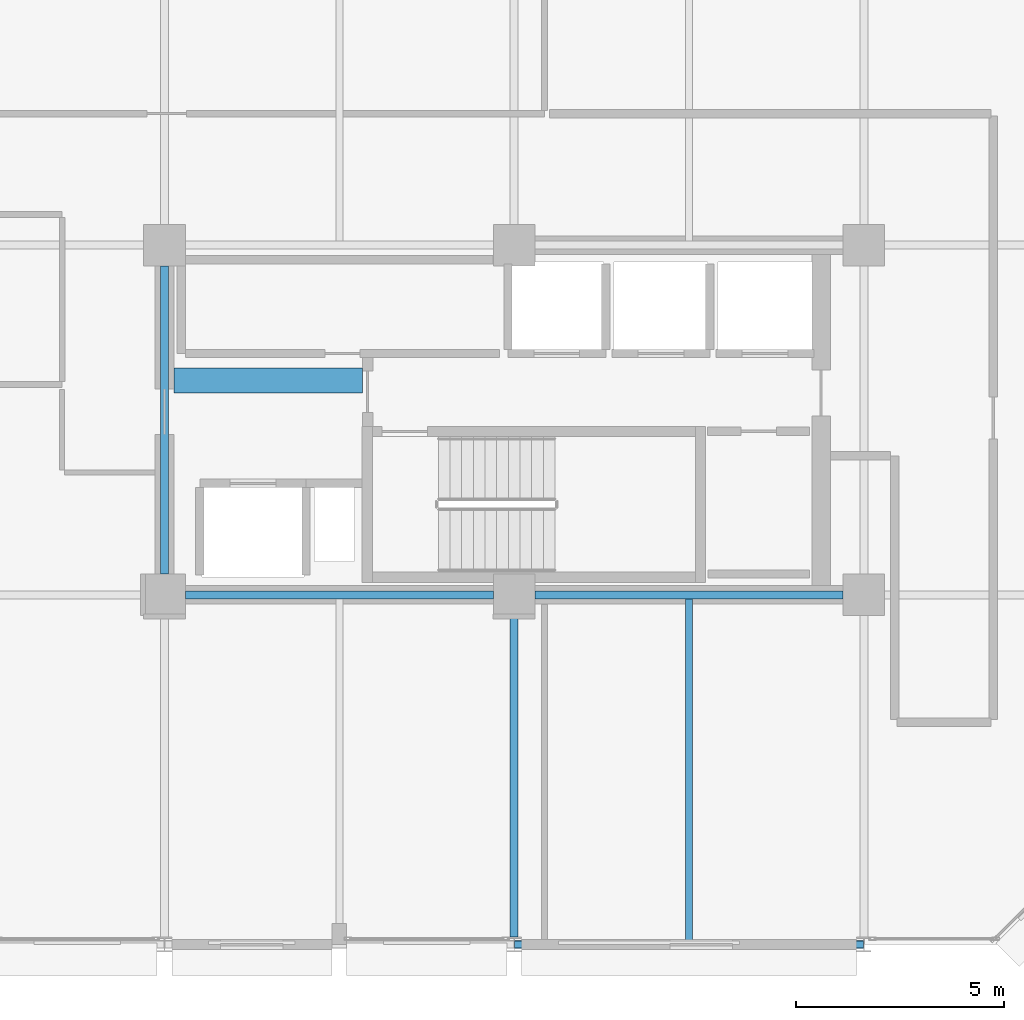
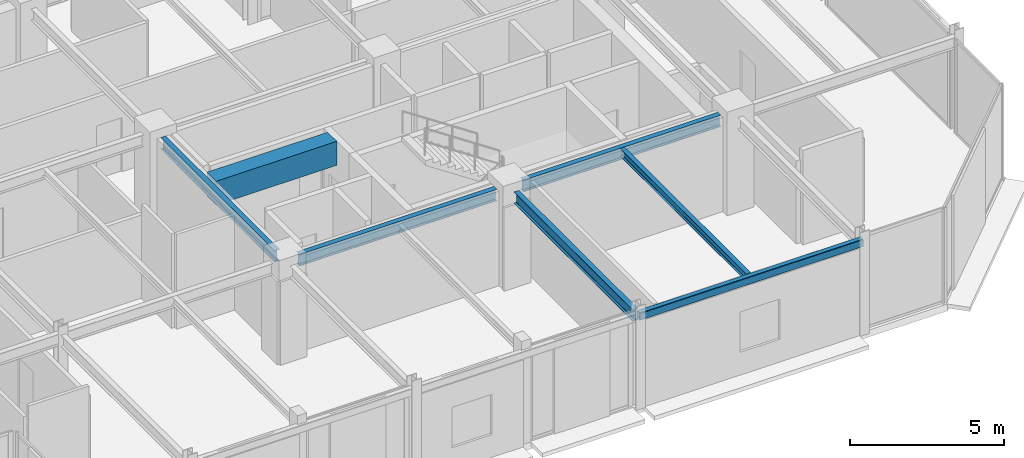
# One storey, part 7 of 26: 7 beams.
"""IFC4 building model written with IfcOpenShell, lengths in metres."""

from ifc_helpers import new_model, si_unit, direction, frame, origin, origin_2d, place, context, subcontext, project, spatial, rectangle, hollow_rectangle, i_section, extrude, material, material_profile, profile_set, type_object, element, save


model = new_model("IFC4")

# Units and contexts
model_context = context("Model", 3, precision=1e-05, world=origin(), true_north=direction((0.0, 1.0)))
body_context = subcontext(model_context, "Body", "Model", "MODEL_VIEW")
ifc_project = project(units=[si_unit("LENGTHUNIT", "METRE"), si_unit("AREAUNIT", "SQUARE_METRE"), si_unit("VOLUMEUNIT", "CUBIC_METRE"), si_unit("PLANEANGLEUNIT", "RADIAN"), si_unit("MASSUNIT", "GRAM", prefix="KILO")], contexts=[model_context])

# Site, building, storey
site_placement = place(None, origin())
site = spatial("IfcSite", under=ifc_project, at=site_placement, CompositionType="ELEMENT")
building_placement = place(site_placement, origin())
building = spatial("IfcBuilding", under=site, at=building_placement, Name="Nerrivon Quay Data Exchange", CompositionType="ELEMENT")
storey_placement = place(building_placement, frame((0.0, 0.0, 241.10009765625)))
storey = spatial("IfcBuildingStorey", under=building, at=storey_placement, Name="L57", CompositionType="ELEMENT", Elevation=241.10009765625)

# Beams
ifc_material_1 = material(Name="Concrete N50 (50 MPa)", Category="concrete")
ifc_material_profile_1 = material_profile(ifc_material_1, rectangle(XDim=0.60009765625, YDim=0.949951171875, at=origin_2d()), Name="RC-CB-600x950")
ifc_profile_set_1 = profile_set([ifc_material_profile_1], Name="Concrete N50 (50 MPa)")
beam_type_1 = type_object("IfcBeamType", Name="BM-CB2-600x950", PredefinedType="LINTEL", material=ifc_profile_set_1)
beam_1_placement = place(storey_placement, frame((17.02490234375, 13.550048828125, 3.27490234375), z_axis=(1.0, 0.0, 0.0), x_axis=(0.0, 1.0, 0.0)))
element("IfcBeam", 1, at=beam_1_placement, inside=storey, type_object=beam_type_1, Name="L57 East Core Coupling Beam", PredefinedType="LINTEL", context=body_context, shape_type="SweptSolid", body=[
    extrude(rectangle(XDim=0.60009765625, YDim=0.949951171875, at=origin_2d()), origin(), (0.0, 0.0, 1.0), 4.530029296875),
])
ifc_material_2 = material(Name="Steel Grade 350", Category="steel")
ifc_material_profile_2 = material_profile(ifc_material_2, i_section(OverallWidth=0.19091796875, OverallDepth=0.4599609375, WebThickness=0.010009765625, FlangeThickness=0.01611328125, FilletRadius=0.011474609375, at=origin_2d()), Name="460UB82.1")
ifc_profile_set_2 = profile_set([ifc_material_profile_2], Name="Steel Grade 350")
beam_type_2 = type_object("IfcBeamType", Name="BM-G5-460UB82", PredefinedType="BEAM", material=ifc_profile_set_2)
beam_2_placement = place(storey_placement, frame((17.300048828125, 8.39990234375, 3.52001953125), z_axis=(1.0, 0.0, 0.0), x_axis=(0.0, 1.0, 0.0)))
element("IfcBeam", 2, at=beam_2_placement, inside=storey, type_object=beam_type_2, Name="L57 EW Girder Y=8.4 (16.8..25.2)", PredefinedType="BEAM", context=body_context, shape_type="SweptSolid", body=[
    extrude(i_section(OverallWidth=0.19091796875, OverallDepth=0.4599609375, WebThickness=0.010009765625, FlangeThickness=0.01611328125, FilletRadius=0.011474609375, at=origin_2d()), origin(), (0.0, 0.0, 1.0), 7.39990234375),
])
beam_3_placement = place(storey_placement, frame((25.699951171875, 8.39990234375, 3.52001953125), z_axis=(1.0, 0.0, 0.0), x_axis=(0.0, 1.0, 0.0)))
element("IfcBeam", 3, at=beam_3_placement, inside=storey, type_object=beam_type_2, Name="L57 EW Girder Y=8.4 (25.2..33.6)", PredefinedType="BEAM", context=body_context, shape_type="SweptSolid", body=[
    extrude(i_section(OverallWidth=0.19091796875, OverallDepth=0.4599609375, WebThickness=0.010009765625, FlangeThickness=0.01611328125, FilletRadius=0.011474609375, at=origin_2d()), origin(), (0.0, 0.0, 1.0), 7.400146484375),
])
ifc_material_profile_3 = material_profile(ifc_material_2, i_section(OverallWidth=0.18994140625, OverallDepth=0.4541015625, WebThickness=0.008544921875, FlangeThickness=0.0126953125, FilletRadius=0.011474609375, at=origin_2d()), Name="460UB67.1")
ifc_profile_set_3 = profile_set([ifc_material_profile_3], Name="Steel Grade 350")
beam_type_3 = type_object("IfcBeamType", Name="BM-G6-460UB67", PredefinedType="BEAM", material=ifc_profile_set_3)
beam_4_placement = place(storey_placement, frame((16.800048828125, 8.89990234375, 3.52294921875), z_axis=(0.0, 1.0, 0.0), x_axis=(-1.0, 0.0, 0.0)))
element("IfcBeam", 4, at=beam_4_placement, inside=storey, type_object=beam_type_3, Name="L57 NS Girder X=16.8 (8.4..16.8)", PredefinedType="BEAM", context=body_context, shape_type="SweptSolid", body=[
    extrude(i_section(OverallWidth=0.18994140625, OverallDepth=0.4541015625, WebThickness=0.008544921875, FlangeThickness=0.0126953125, FilletRadius=0.011474609375, at=origin_2d()), origin(), (0.0, 0.0, 1.0), 7.400146484375),
])
beam_5_placement = place(storey_placement, frame((25.199951171875, 0.175048828125, 3.52294921875), z_axis=(0.0, 1.0, 0.0), x_axis=(-1.0, 0.0, 0.0)))
element("IfcBeam", 5, at=beam_5_placement, inside=storey, type_object=beam_type_3, Name="L57 NS Girder X=25.2 (0.0..8.4)", PredefinedType="BEAM", context=body_context, shape_type="SweptSolid", body=[
    extrude(i_section(OverallWidth=0.18994140625, OverallDepth=0.4541015625, WebThickness=0.008544921875, FlangeThickness=0.0126953125, FilletRadius=0.011474609375, at=origin_2d()), origin(), (0.0, 0.0, 1.0), 7.724853515625),
])
ifc_material_profile_4 = material_profile(ifc_material_2, i_section(OverallWidth=0.166015625, OverallDepth=0.306884765625, WebThickness=0.006591796875, FlangeThickness=0.01171875, FilletRadius=0.011474609375, at=origin_2d()), Name="310UB46.2")
ifc_profile_set_4 = profile_set([ifc_material_profile_4], Name="Steel Grade 350")
beam_type_4 = type_object("IfcBeamType", Name="BM-J5-310UB46", PredefinedType="JOIST", material=ifc_profile_set_4)
beam_6_placement = place(storey_placement, frame((29.39990234375, 0.10009765625, 3.596435546875), z_axis=(0.0, 1.0, 0.0), x_axis=(-1.0, 0.0, 0.0)))
element("IfcBeam", 6, at=beam_6_placement, inside=storey, type_object=beam_type_4, Name="L57 Secondary Joist X=29.4 (0.0..8.4)", PredefinedType="JOIST", context=body_context, shape_type="SweptSolid", body=[
    extrude(i_section(OverallWidth=0.166015625, OverallDepth=0.306884765625, WebThickness=0.006591796875, FlangeThickness=0.01171875, FilletRadius=0.011474609375, at=origin_2d()), origin(), (0.0, 0.0, 1.0), 8.204345703125),
])
ifc_material_3 = material(Name="Steel Grade C350L0 (350 MPa)", Category="steel")
ifc_material_profile_5 = material_profile(ifc_material_3, hollow_rectangle(XDim=0.199951171875, YDim=0.300048828125, WallThickness=0.012451171875, InnerFilletRadius=0.018798828125, OuterFilletRadius=0.03125, at=origin_2d()), Name="300x200x12.5RHS")
ifc_profile_set_5 = profile_set([ifc_material_profile_5], Name="Steel Grade C350L0 (350 MPa)")
beam_type_5 = type_object("IfcBeamType", Name="BM-SP3-300x200RHS", PredefinedType="SPANDREL", material=ifc_profile_set_5)
beam_7_placement = place(storey_placement, frame((25.2099609375, 0.0, 3.599853515625), z_axis=(1.0, 0.0, 0.0), x_axis=(0.0, 1.0, 0.0)))
element("IfcBeam", 7, at=beam_7_placement, inside=storey, type_object=beam_type_5, Name="L57 EW Girder Y=0.0 (25.2..33.6)", PredefinedType="SPANDREL", context=body_context, shape_type="SweptSolid", body=[
    extrude(hollow_rectangle(XDim=0.199951171875, YDim=0.300048828125, WallThickness=0.012451171875, InnerFilletRadius=0.018798828125, OuterFilletRadius=0.03125, at=origin_2d()), origin(), (0.0, 0.0, 1.0), 8.380126953125),
])

save(model, "model.ifc")
